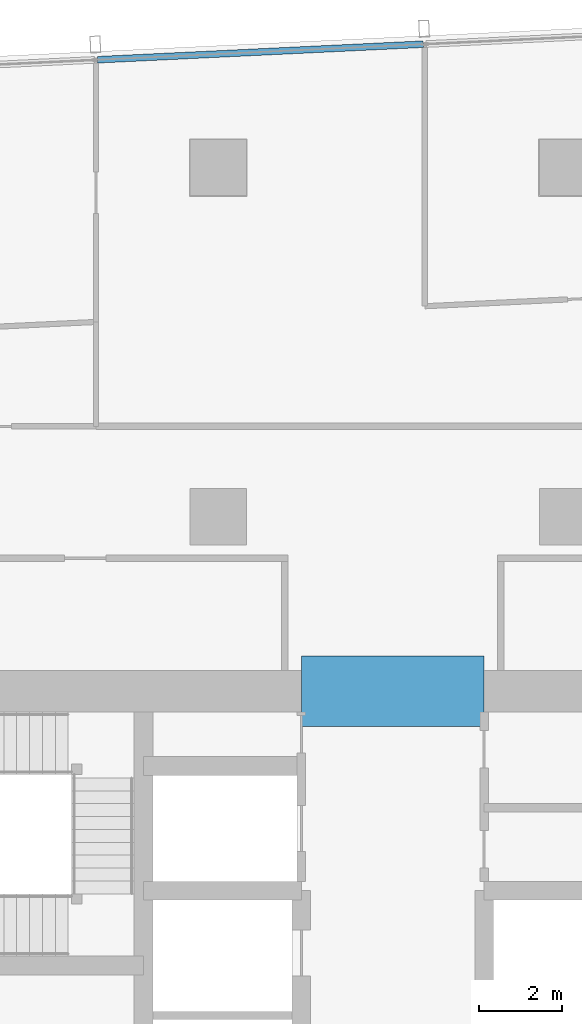
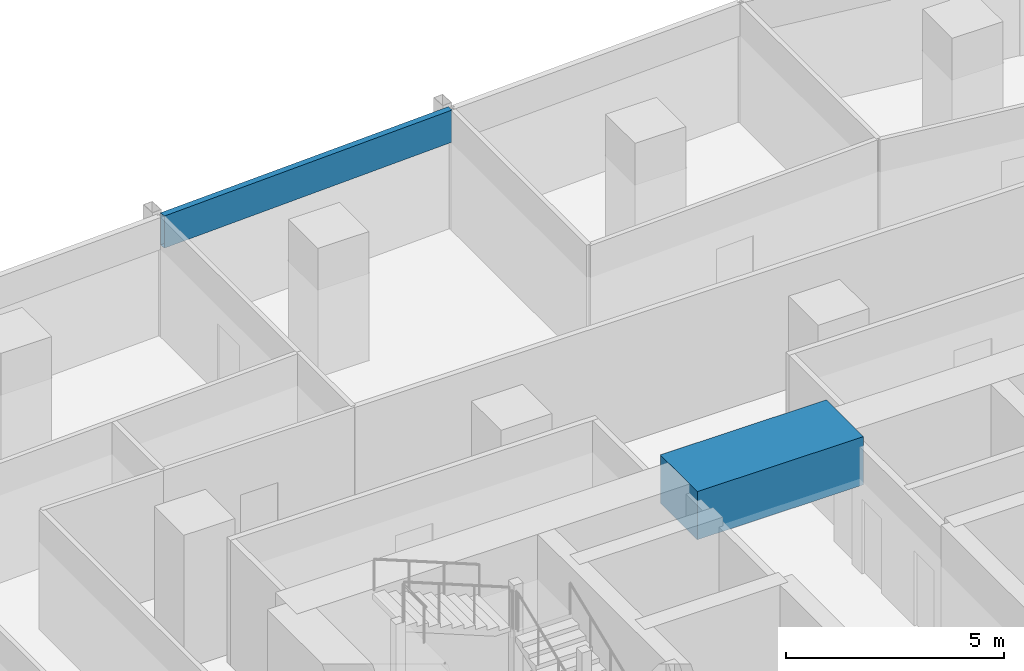
# One storey, part 20 of 39: 1 beam, 1 member, 1 element without a shape of its own.
"""IFC4 building model written with IfcOpenShell, lengths in metres."""

from ifc_helpers import new_model, si_unit, direction, frame, origin, origin_2d, place, context, subcontext, project, spatial, rectangle, hollow_rectangle, extrude, material, material_profile, profile_set, type_object, element, aggregate, save


model = new_model("IFC4")

# Units and contexts
model_context = context("Model", 3, precision=1e-05, world=origin(), true_north=direction((0.0, 1.0)))
body_context = subcontext(model_context, "Body", "Model", "MODEL_VIEW")
ifc_project = project(units=[si_unit("LENGTHUNIT", "METRE"), si_unit("AREAUNIT", "SQUARE_METRE"), si_unit("VOLUMEUNIT", "CUBIC_METRE"), si_unit("PLANEANGLEUNIT", "RADIAN"), si_unit("MASSUNIT", "GRAM", prefix="KILO")], contexts=[model_context])

# Site, building, storey
site_placement = place(None, origin())
site = spatial("IfcSite", under=ifc_project, at=site_placement, CompositionType="ELEMENT")
building_placement = place(site_placement, origin())
building = spatial("IfcBuilding", under=site, at=building_placement, Name="Rekha Terrace Tower", CompositionType="ELEMENT")
storey_placement = place(building_placement, frame((0.0, 0.0, 225.199951171875)))
storey = spatial("IfcBuildingStorey", under=building, at=storey_placement, Name="L57", CompositionType="ELEMENT", Elevation=225.199951171875)

# Curtain wall, member
ifc_material_1 = material(Name="Aluminium framing", Category="aluminium")
curtain_wall_type = type_object("IfcCurtainWallType", Name="CW3 north unitised glazing", PredefinedType="USERDEFINED", material=ifc_material_1)
curtain_wall_placement = place(storey_placement, origin())
curtain_wall = element("IfcCurtainWall", 1, at=curtain_wall_placement, inside=storey, type_object=curtain_wall_type, Name="CW3 unitised curtain wall", ObjectType="UNITISED CURTAIN WALL", PredefinedType="USERDEFINED")
ifc_material_2 = material(Name="Insulated aluminium spandrel box", Category="aluminium")
ifc_material_profile_1 = material_profile(ifc_material_2, hollow_rectangle(XDim=0.159912109375, YDim=0.89990234375, WallThickness=0.0029296875, at=origin_2d()), Name="AL SPANDREL BOX 160x900")
ifc_profile_set_1 = profile_set([ifc_material_profile_1], Name="Insulated aluminium spandrel box")
member_type = type_object("IfcMemberType", Name="CW3 spandrel transom 160 x 900", PredefinedType="USERDEFINED", material=ifc_profile_set_1)
member_placement = place(storey_placement, frame((38.53515625, 61.76953125, 3.050048828125), z_axis=(-0.998859252362, -0.047751376635, 0.0), x_axis=(0.047751376635, -0.998859252362, 0.0)))
member = element("IfcMember", 2, at=member_placement, type_object=member_type, Name="CW3 spandrel transom 2", ObjectType="TRANSOM", PredefinedType="USERDEFINED", context=body_context, shape_type="SweptSolid", body=[
    extrude(hollow_rectangle(XDim=0.159912109375, YDim=0.89990234375, WallThickness=0.0029296875, at=origin_2d()), origin(), (0.0, 0.0, 1.0), 7.84814453125),
])
aggregate(curtain_wall, [member])

# Beam
ifc_material_3 = material(Name="Concrete M60", Category="concrete")
ifc_material_profile_2 = material_profile(ifc_material_3, rectangle(XDim=1.699951171875, YDim=1.35009765625, at=origin_2d()), Name="RC 1700x1350")
ifc_profile_set_2 = profile_set([ifc_material_profile_2], Name="Concrete M60")
beam_type = type_object("IfcBeamType", Name="LB3A 1700x1350 diagonally reinforced coupling beam", PredefinedType="LINTEL", material=ifc_profile_set_2)
beam_placement = place(storey_placement, frame((35.60009765625, 46.199951171875, 3.074951171875), z_axis=(1.0, 0.0, 0.0), x_axis=(0.0, 1.0, 0.0)))
element("IfcBeam", 3, at=beam_placement, inside=storey, type_object=beam_type, Name="Coupling beam LB3A N L57", PredefinedType="LINTEL", context=body_context, shape_type="SweptSolid", body=[
    extrude(rectangle(XDim=1.699951171875, YDim=1.35009765625, at=origin_2d()), origin(), (0.0, 0.0, 1.0), 4.39990234375),
])

save(model, "model.ifc")
